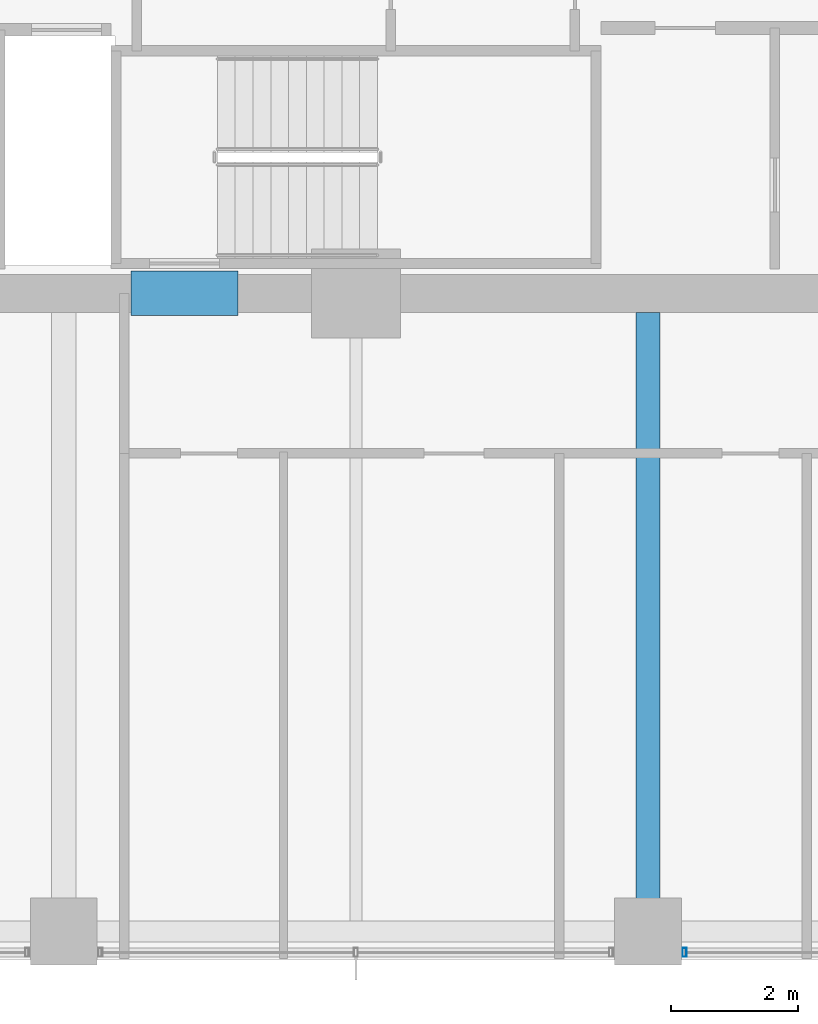
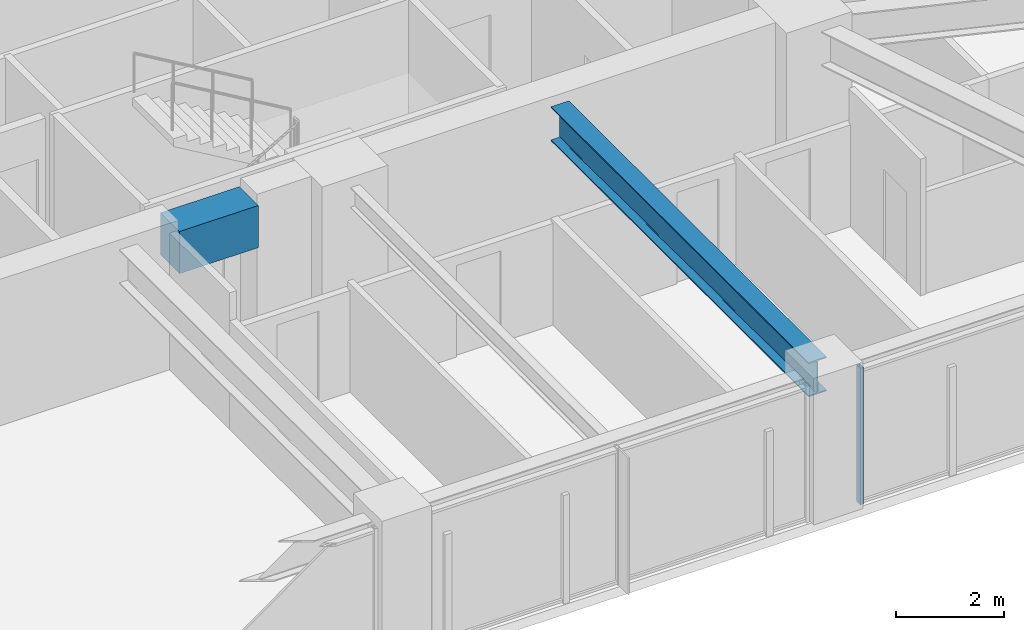
# One storey, part 7 of 36: 2 beams, 1 member, 1 element without a shape of its own.
"""IFC4 building model written with IfcOpenShell, lengths in metres."""

from ifc_helpers import new_model, si_unit, direction, frame, origin, origin_2d, place, context, subcontext, project, spatial, rectangle, hollow_rectangle, i_section, extrude, material, material_profile, profile_set, type_object, element, aggregate, save


model = new_model("IFC4")

# Units and contexts
model_context = context("Model", 3, precision=1e-05, world=origin(), true_north=direction((0.0, 1.0)))
body_context = subcontext(model_context, "Body", "Model", "MODEL_VIEW")
ifc_project = project(units=[si_unit("LENGTHUNIT", "METRE"), si_unit("AREAUNIT", "SQUARE_METRE"), si_unit("VOLUMEUNIT", "CUBIC_METRE"), si_unit("PLANEANGLEUNIT", "RADIAN"), si_unit("MASSUNIT", "GRAM", prefix="KILO")], contexts=[model_context])

# Site, building, storey
site_placement = place(None, origin())
site = spatial("IfcSite", under=ifc_project, at=site_placement, CompositionType="ELEMENT")
building_placement = place(site_placement, origin())
building = spatial("IfcBuilding", under=site, at=building_placement, Name="Kolvaren Belvedere", CompositionType="ELEMENT")
storey_placement = place(building_placement, frame((0.0, 0.0, 95.300048828125)))
storey = spatial("IfcBuildingStorey", under=building, at=storey_placement, Name="L27", CompositionType="ELEMENT", Elevation=95.300048828125)

# Beams
ifc_material_1 = material(Name="Structural steel ASTM A992 Grade 50", Category="steel")
ifc_material_profile_1 = material_profile(ifc_material_1, i_section(OverallWidth=0.381103515625, OverallDepth=0.77294921875, WebThickness=0.0166015625, FlangeThickness=0.027099609375, FilletRadius=0.02392578125, at=origin_2d()), Name="W30X173")
ifc_profile_set_1 = profile_set([ifc_material_profile_1], Name="Structural steel ASTM A992 Grade 50")
beam_type_1 = type_object("IfcBeamType", Name="BM-GIRD-W30X173", PredefinedType="BEAM", material=ifc_profile_set_1)
beam_1_placement = place(storey_placement, frame((4.60009765625, -10.199951171875, 2.693359375), z_axis=(0.0, -1.0, 0.0), x_axis=(1.0, 0.0, 0.0)))
element("IfcBeam", 1, at=beam_1_placement, inside=storey, type_object=beam_type_1, Name="L27 South Radial Girder P", PredefinedType="BEAM", context=body_context, shape_type="SweptSolid", body=[
    extrude(i_section(OverallWidth=0.381103515625, OverallDepth=0.77294921875, WebThickness=0.0166015625, FlangeThickness=0.027099609375, FilletRadius=0.02392578125, at=origin_2d()), origin(), (0.0, 0.0, 1.0), 9.513916015625),
])
ifc_material_2 = material(Name="Concrete C60/75", Category="concrete")
ifc_material_profile_2 = material_profile(ifc_material_2, rectangle(XDim=0.699951171875, YDim=0.949951171875, at=origin_2d()), Name="RC 700X950")
ifc_profile_set_2 = profile_set([ifc_material_profile_2], Name="Concrete C60/75")
beam_type_2 = type_object("IfcBeamType", Name="BM-LINT-950", PredefinedType="LINTEL", material=ifc_profile_set_2)
beam_2_placement = place(storey_placement, frame((-3.5400390625, -9.89990234375, 2.60498046875), z_axis=(1.0, 0.0, 0.0), x_axis=(0.0, 1.0, 0.0)))
element("IfcBeam", 2, at=beam_2_placement, inside=storey, type_object=beam_type_2, Name="L27 South Core Coupling Lintel", PredefinedType="LINTEL", context=body_context, shape_type="SweptSolid", body=[
    extrude(rectangle(XDim=0.699951171875, YDim=0.949951171875, at=origin_2d()), origin(), (0.0, 0.0, 1.0), 1.679931640625),
])

# Curtain wall, member
ifc_material_3 = material(Name="Anodised pale-metal aluminium AA 6063-T6", Category="aluminium")
curtain_wall_type = type_object("IfcCurtainWallType", Name="CW-Z2-MID", PredefinedType="NOTDEFINED", material=ifc_material_3)
curtain_wall_placement = place(storey_placement, origin())
curtain_wall = element("IfcCurtainWall", 3, at=curtain_wall_placement, inside=storey, type_object=curtain_wall_type, Name="L27 Unitised Curtain Wall FCW-L27-S-B1", PredefinedType="NOTDEFINED")
ifc_material_4 = material(Name="Anodised pale-metal aluminium AA 6063-T6", Category="aluminium")
ifc_material_profile_3 = material_profile(ifc_material_4, hollow_rectangle(XDim=0.06494140625, YDim=0.139892578125, WallThickness=0.00390625, at=origin_2d()), Name="ALU-MUL-140X65")
ifc_profile_set_3 = profile_set([ifc_material_profile_3], Name="Anodised pale-metal aluminium AA 6063-T6")
member_type = type_object("IfcMemberType", Name="CW-MUL-140", PredefinedType="MULLION", material=ifc_profile_set_3)
member_placement = place(storey_placement, frame((5.177490234375, -20.280029296875, 0.0), z_axis=(0.0, 0.0, 1.0), x_axis=(1.0, 0.0, 0.0)))
member = element("IfcMember", 4, at=member_placement, type_object=member_type, Name="FCW-L27-S-B1 Unitised Mullion 3", PredefinedType="MULLION", context=body_context, shape_type="SweptSolid", body=[
    extrude(hollow_rectangle(XDim=0.06494140625, YDim=0.139892578125, WallThickness=0.00390625, at=origin_2d()), origin(), (0.0, 0.0, 1.0), 3.079833984375),
])
aggregate(curtain_wall, [member])

save(model, "model.ifc")
